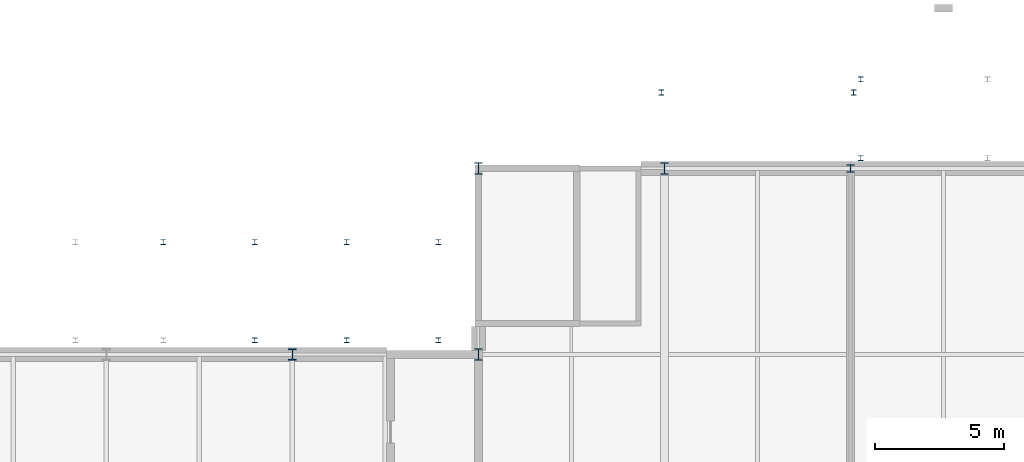
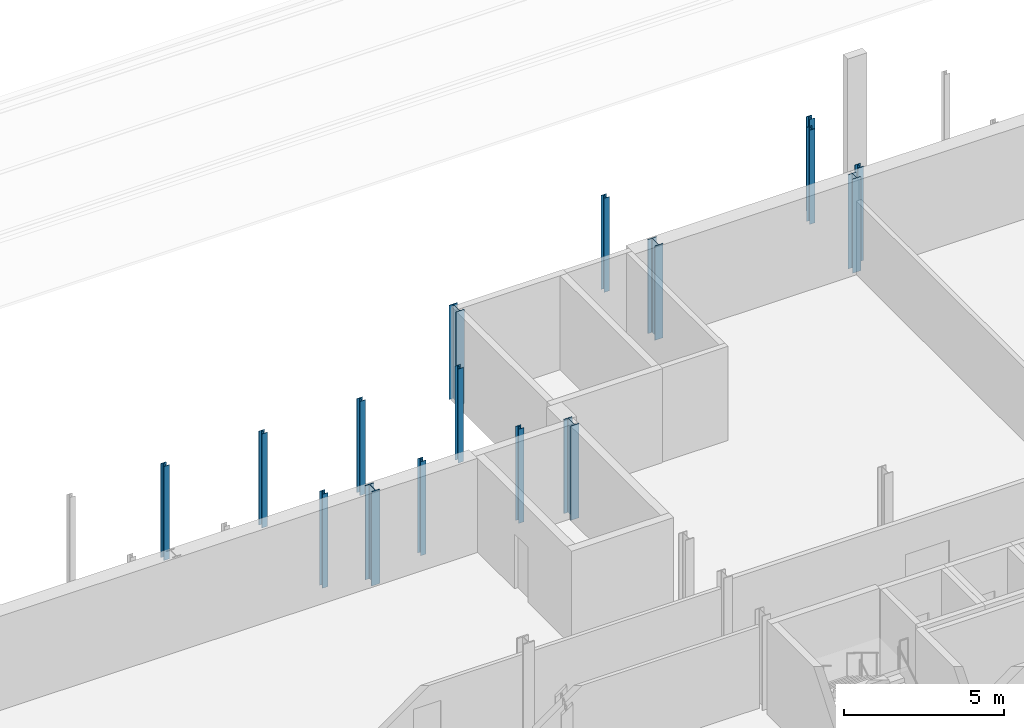
# One storey, part 24 of 90: 16 columns.
"""IFC4 building model written with IfcOpenShell, lengths in metres."""

from ifc_helpers import new_model, si_unit, direction, frame, origin, origin_2d, place, context, subcontext, project, spatial, i_section, extrude, material, material_profile, profile_set, type_object, element, save


model = new_model("IFC4")

# Units and contexts
model_context = context("Model", 3, precision=1e-05, world=origin(), true_north=direction((0.0, 1.0)))
body_context = subcontext(model_context, "Body", "Model", "MODEL_VIEW")
ifc_project = project(units=[si_unit("LENGTHUNIT", "METRE"), si_unit("AREAUNIT", "SQUARE_METRE"), si_unit("VOLUMEUNIT", "CUBIC_METRE"), si_unit("PLANEANGLEUNIT", "RADIAN"), si_unit("MASSUNIT", "GRAM", prefix="KILO")], contexts=[model_context])

# Site, building, storey
site_placement = place(None, origin())
site = spatial("IfcSite", under=ifc_project, at=site_placement, CompositionType="ELEMENT")
building_placement = place(site_placement, origin())
building = spatial("IfcBuilding", under=site, at=building_placement, Name="Kupolbacken Congress Centre", CompositionType="ELEMENT")
storey_placement = place(building_placement, frame((0.0, 0.0, 3.60009765625)))
storey = spatial("IfcBuildingStorey", under=building, at=storey_placement, Name="L01", CompositionType="ELEMENT", Elevation=3.60009765625)

# Columns
ifc_material_1 = material(Name="Steel S355", Category="steel")
ifc_material_profile_1 = material_profile(ifc_material_1, i_section(OverallWidth=0.306884765625, OverallDepth=0.431884765625, WebThickness=0.02099609375, FlangeThickness=0.0400390625, FilletRadius=0.027099609375, at=origin_2d()), Name="HEM 400")
ifc_profile_set_1 = profile_set([ifc_material_profile_1], Name="Steel S355")
column_type_1 = type_object("IfcColumnType", Name="C02 column HEM 400", PredefinedType="COLUMN", material=ifc_profile_set_1)
column_1_placement = place(storey_placement, frame((129.60009765625, 144.0, 0.0), z_axis=(0.0, 0.0, 1.0), x_axis=(1.0, 0.0, 0.0)))
element("IfcColumn", 1, at=column_1_placement, inside=storey, type_object=column_type_1, Name="S/col/C-T-19W/L01", PredefinedType="COLUMN", context=body_context, shape_type="SweptSolid", body=[
    extrude(i_section(OverallWidth=0.306884765625, OverallDepth=0.431884765625, WebThickness=0.02099609375, FlangeThickness=0.0400390625, FilletRadius=0.027099609375, at=origin_2d()), origin(), (0.0, 0.0, 1.0), 3.599853515625),
])
ifc_material_2 = material(Name="Steel S355", Category="steel")
ifc_material_profile_2 = material_profile(ifc_material_2, i_section(OverallWidth=0.300048828125, OverallDepth=0.449951171875, WebThickness=0.013916015625, FlangeThickness=0.02587890625, FilletRadius=0.027099609375, at=origin_2d()), Name="HEB 450")
ifc_profile_set_2 = profile_set([ifc_material_profile_2], Name="Steel S355")
column_type_2 = type_object("IfcColumnType", Name="C03 column HEB 450", PredefinedType="COLUMN", material=ifc_profile_set_2)
for number, where, z_axis, x_axis, name in (
    (2, (136.800048828125, 151.199951171875, 0.0), (0.0, 0.0, 1.0), (1.0, 0.0, 0.0), "S/col/C-BF-20X/L01"),
    (3, (144.0, 151.199951171875, 0.0), (0.0, 0.0, 1.0), (1.0, 0.0, 0.0), "S/col/C-BF-21X/L01"),
    (4, (136.800048828125, 144.0, 0.0), (0.0, 0.0, 1.0), (1.0, 0.0, 0.0), "S/col/C-T-20W/L01"),
):
    element("IfcColumn", number, at=place(storey_placement, frame(where, z_axis=z_axis, x_axis=x_axis)), inside=storey, type_object=column_type_2, Name=name, PredefinedType="COLUMN", context=body_context, shape_type="SweptSolid", body=[
        extrude(i_section(OverallWidth=0.300048828125, OverallDepth=0.449951171875, WebThickness=0.013916015625, FlangeThickness=0.02587890625, FilletRadius=0.027099609375, at=origin_2d()), origin(), (0.0, 0.0, 1.0), 3.599853515625),
    ])
ifc_material_3 = material(Name="Steel S355", Category="steel")
ifc_material_profile_3 = material_profile(ifc_material_3, i_section(OverallWidth=0.300048828125, OverallDepth=0.300048828125, WebThickness=0.010986328125, FlangeThickness=0.01904296875, FilletRadius=0.027099609375, at=origin_2d()), Name="HEB 300")
ifc_profile_set_3 = profile_set([ifc_material_profile_3], Name="Steel S355")
column_type_3 = type_object("IfcColumnType", Name="C06 column HEB 300", PredefinedType="COLUMN", material=ifc_profile_set_3)
column_2_placement = place(storey_placement, frame((151.199951171875, 151.199951171875, 0.0), z_axis=(0.0, 0.0, 1.0), x_axis=(1.0, 0.0, 0.0)))
element("IfcColumn", 5, at=column_2_placement, inside=storey, type_object=column_type_3, Name="S/col/C-B-B1N/L01", PredefinedType="COLUMN", context=body_context, shape_type="SweptSolid", body=[
    extrude(i_section(OverallWidth=0.300048828125, OverallDepth=0.300048828125, WebThickness=0.010986328125, FlangeThickness=0.01904296875, FilletRadius=0.027099609375, at=origin_2d()), origin(), (0.0, 0.0, 1.0), 3.599853515625),
])
ifc_material_4 = material(Name="Steel S355", Category="steel")
ifc_material_profile_4 = material_profile(ifc_material_4, i_section(OverallWidth=0.199951171875, OverallDepth=0.199951171875, WebThickness=0.009033203125, FlangeThickness=0.014892578125, FilletRadius=0.01806640625, at=origin_2d()), Name="HEB 200")
ifc_profile_set_4 = profile_set([ifc_material_profile_4], Name="Steel S355")
column_type_4 = type_object("IfcColumnType", Name="C11 column HEB 200", PredefinedType="COLUMN", material=ifc_profile_set_4)
for number, where, z_axis, x_axis, name in (
    (6, (151.320068359375, 154.139892578125, 0.0), (0.0, 0.0, 1.0), (1.0, 0.0, 0.0), "E/canopy/BN1/col1/L01"),
    (7, (143.8798828125, 154.139892578125, 0.0), (0.0, 0.0, 1.0), (1.0, 0.0, 0.0), "E/canopy/BN1/col2/L01"),
    (8, (124.60009765625, 148.35009765625, 0.0), (0.0, 0.0, 1.0), (1.0, 0.0, 0.0), "Covered passage column"),
    (9, (128.14990234375, 144.550048828125, 0.0), (0.0, 0.0, 1.0), (1.0, 0.0, 0.0), "Covered passage column"),
    (10, (128.14990234375, 148.35009765625, 0.0), (0.0, 0.0, 1.0), (1.0, 0.0, 0.0), "Covered passage column"),
    (11, (131.699951171875, 144.550048828125, 0.0), (0.0, 0.0, 1.0), (1.0, 0.0, 0.0), "Covered passage column"),
    (12, (131.699951171875, 148.35009765625, 0.0), (0.0, 0.0, 1.0), (1.0, 0.0, 0.0), "Covered passage column"),
    (13, (135.25, 144.550048828125, 0.0), (0.0, 0.0, 1.0), (1.0, 0.0, 0.0), "Covered passage column"),
    (14, (135.25, 148.35009765625, 0.0), (0.0, 0.0, 1.0), (1.0, 0.0, 0.0), "Covered passage column"),
    (15, (151.60009765625, 151.60009765625, 0.0), (0.0, 0.0, 1.0), (1.0, 0.0, 0.0), "Covered passage column"),
    (16, (151.60009765625, 154.64990234375, 0.0), (0.0, 0.0, 1.0), (1.0, 0.0, 0.0), "Covered passage column"),
):
    element("IfcColumn", number, at=place(storey_placement, frame(where, z_axis=z_axis, x_axis=x_axis)), inside=storey, type_object=column_type_4, Name=name, PredefinedType="COLUMN", context=body_context, shape_type="SweptSolid", body=[
        extrude(i_section(OverallWidth=0.199951171875, OverallDepth=0.199951171875, WebThickness=0.009033203125, FlangeThickness=0.014892578125, FilletRadius=0.01806640625, at=origin_2d()), origin(), (0.0, 0.0, 1.0), 3.599853515625),
    ])

save(model, "model.ifc")
